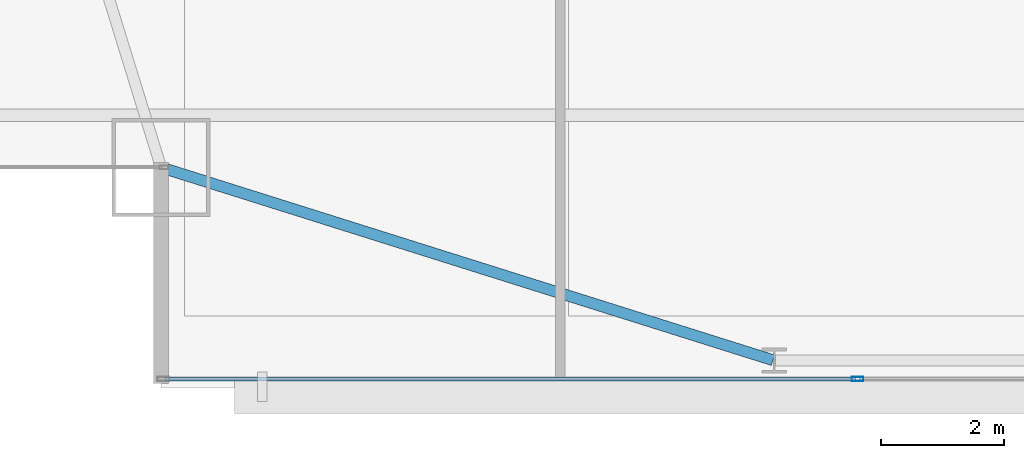
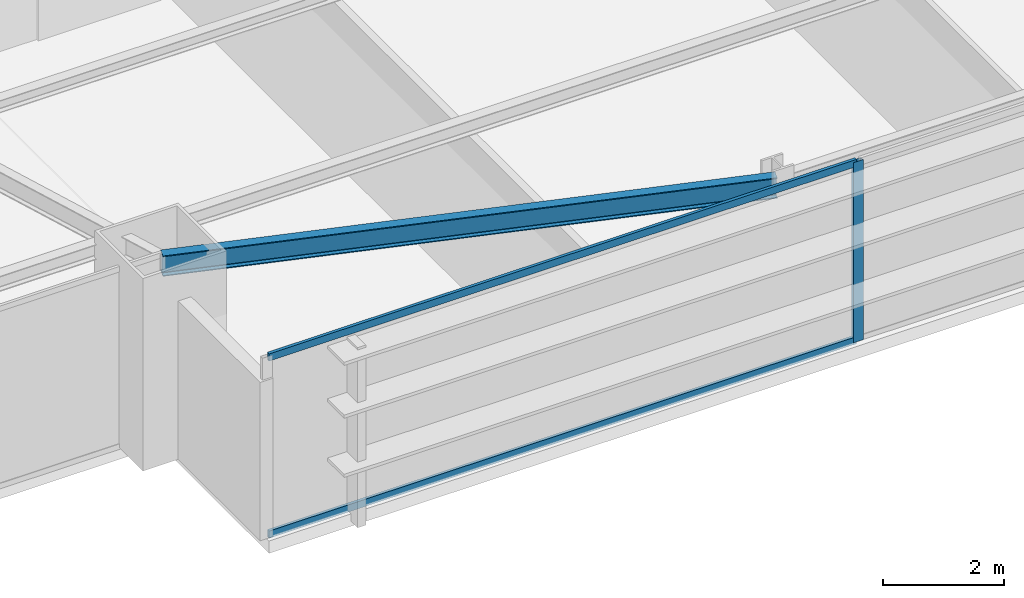
# One storey, part 4 of 30: 3 members, 1 beam, 1 element without a shape of its own.
"""IFC4 building model written with IfcOpenShell, lengths in metres."""

from ifc_helpers import new_model, si_unit, direction, frame, origin, origin_2d, place, context, subcontext, project, spatial, hollow_rectangle, i_section, extrude, source, transform, mapped, material, layer, layer_set, material_profile, profile_set, type_object, type_shapes, element, aggregate, save


model = new_model("IFC4")

# Units and contexts
model_context = context("Model", 3, precision=1e-05, world=origin(), true_north=direction((0.0, 1.0)))
body_context = subcontext(model_context, "Body", "Model", "MODEL_VIEW")
ifc_project = project(units=[si_unit("LENGTHUNIT", "METRE"), si_unit("AREAUNIT", "SQUARE_METRE"), si_unit("VOLUMEUNIT", "CUBIC_METRE"), si_unit("PLANEANGLEUNIT", "RADIAN"), si_unit("MASSUNIT", "GRAM", prefix="KILO")], contexts=[model_context])

# Site, building, storey
site_placement = place(None, origin())
site = spatial("IfcSite", under=ifc_project, at=site_placement, CompositionType="ELEMENT")
building_placement = place(site_placement, origin())
building = spatial("IfcBuilding", under=site, at=building_placement, Name="Varnel Quay Broadcast Tower", CompositionType="ELEMENT")
storey_placement = place(building_placement, frame((0.0, 0.0, 62.699951171875)))
storey = spatial("IfcBuildingStorey", under=building, at=storey_placement, Name="L14", CompositionType="ELEMENT", Elevation=62.699951171875)

# Beam
ifc_material_1 = material(Name="Structural Steel CSA G40.21 350W", Category="steel")
ifc_material_profile_1 = material_profile(ifc_material_1, i_section(OverallWidth=0.180908203125, OverallDepth=0.4169921875, WebThickness=0.010986328125, FlangeThickness=0.018310546875, FilletRadius=0.011962890625, at=origin_2d()), Name="W410X85")
ifc_profile_set_1 = profile_set([ifc_material_profile_1], Name="Structural Steel CSA G40.21 350W")
beam_type = type_object("IfcBeamType", Name="Beam_W410X85", PredefinedType="SPANDREL", material=ifc_profile_set_1)
shared_shape_1 = source(origin(), body_context, "Body", "SweptSolid", [
    extrude(i_section(OverallWidth=0.180908203125, OverallDepth=0.4169921875, WebThickness=0.010986328125, FlangeThickness=0.018310546875, FilletRadius=0.011962890625, at=origin_2d()), origin(), (0.0, 0.0, 1.0), 10.444091796875),
])
type_shapes(beam_type, [shared_shape_1])
beam_placement = place(storey_placement, frame((5.619140625, 4.7939453125, 3.441650390625), z_axis=(0.953798277271, -0.300447743003, 0.0), x_axis=(0.300447743003, 0.953798277271, 0.0)))
element("IfcBeam", 1, at=beam_placement, inside=storey, type_object=beam_type, Name="L14 South Spandrel MC-SW-TC-S1", PredefinedType="SPANDREL", context=body_context, shape_type="MappedRepresentation", body=[
    mapped(shared_shape_1, transform((0.0, 0.0, 0.0), x_axis=(1.0, 0.0, 0.0), y_axis=(0.0, 1.0, 0.0), z_axis=(0.0, 0.0, 1.0), scale=1.0)),
])

# Curtain wall, members
ifc_material_2 = material(Name="Anodised Bronze Aluminium 6063-T6", Category="aluminium")
ifc_layer = layer(ifc_material_2, 0.18994140625, Name="Anodised Bronze Aluminium 6063-T6")
ifc_layer_set = layer_set([ifc_layer], Name="Anodised Bronze Aluminium 6063-T6")
curtain_wall_type = type_object("IfcCurtainWallType", Name="CW_LowerTower", PredefinedType="NOTDEFINED", material=ifc_layer_set)
curtain_wall_placement = place(storey_placement, origin())
curtain_wall = element("IfcCurtainWall", 2, at=curtain_wall_placement, inside=storey, type_object=curtain_wall_type, Name="L14 South Unitised Curtain Wall 1", PredefinedType="NOTDEFINED")
ifc_material_profile_2 = material_profile(ifc_material_2, hollow_rectangle(XDim=0.06005859375, YDim=0.14501953125, WallThickness=0.00341796875, at=origin_2d()), Name="ALU60X145X3.5")
ifc_profile_set_2 = profile_set([ifc_material_profile_2], Name="Anodised Bronze Aluminium 6063-T6")
member_type_1 = type_object("IfcMemberType", Name="Tran_CWS-02", PredefinedType="USERDEFINED", material=ifc_profile_set_2)
shared_shape_2 = source(origin(), body_context, "Body", "SweptSolid", [
    extrude(hollow_rectangle(XDim=0.06005859375, YDim=0.14501953125, WallThickness=0.00341796875, at=origin_2d()), origin(), (0.0, 0.0, 1.0), 11.255126953125),
])
type_shapes(member_type_1, [shared_shape_2])
member_1_placement = place(storey_placement, frame((5.669921875, 1.35009765625, 0.030029296875), z_axis=(1.0, 0.0, 0.0), x_axis=(0.0, 1.0, 0.0)))
member_1 = element("IfcMember", 3, at=member_1_placement, type_object=member_type_1, Name="CWS-02 transom 1.1", ObjectType="TRANSOM", PredefinedType="USERDEFINED", context=body_context, shape_type="MappedRepresentation", body=[
    mapped(shared_shape_2, transform((0.0, 0.0, 0.0), x_axis=(1.0, 0.0, 0.0), y_axis=(0.0, 1.0, 0.0), z_axis=(0.0, 0.0, 1.0), scale=1.0)),
])
member_2_placement = place(storey_placement, frame((5.669921875, 1.35009765625, 3.6201171875), z_axis=(1.0, 0.0, 0.0), x_axis=(0.0, 1.0, 0.0)))
member_2 = element("IfcMember", 4, at=member_2_placement, type_object=member_type_1, Name="CWS-02 transom 1.2", ObjectType="TRANSOM", PredefinedType="USERDEFINED", context=body_context, shape_type="MappedRepresentation", body=[
    mapped(shared_shape_2, transform((0.0, 0.0, 0.0), x_axis=(1.0, 0.0, 0.0), y_axis=(0.0, 1.0, 0.0), z_axis=(0.0, 0.0, 1.0), scale=1.0)),
])
ifc_material_profile_3 = material_profile(ifc_material_2, hollow_rectangle(XDim=0.070068359375, YDim=0.18994140625, WallThickness=0.00390625, at=origin_2d()), Name="ALU70X190X4")
ifc_profile_set_3 = profile_set([ifc_material_profile_3], Name="Anodised Bronze Aluminium 6063-T6")
member_type_2 = type_object("IfcMemberType", Name="Mull_CWS-02", PredefinedType="MULLION", material=ifc_profile_set_3)
shared_shape_3 = source(origin(), body_context, "Body", "SweptSolid", [
    extrude(hollow_rectangle(XDim=0.070068359375, YDim=0.18994140625, WallThickness=0.00390625, at=origin_2d()), origin(), (0.0, 0.0, 1.0), 3.650146484375),
])
type_shapes(member_type_2, [shared_shape_3])
member_3_placement = place(storey_placement, frame((16.9599609375, 1.35009765625, 0.0), z_axis=(0.0, 0.0, 1.0), x_axis=(0.0, 1.0, 0.0)))
member_3 = element("IfcMember", 5, at=member_3_placement, type_object=member_type_2, Name="CWS-02 mullion 2", PredefinedType="MULLION", context=body_context, shape_type="MappedRepresentation", body=[
    mapped(shared_shape_3, transform((0.0, 0.0, 0.0), x_axis=(1.0, 0.0, 0.0), y_axis=(0.0, 1.0, 0.0), z_axis=(0.0, 0.0, 1.0), scale=1.0)),
])
aggregate(curtain_wall, [member_3, member_1, member_2])

save(model, "model.ifc")
